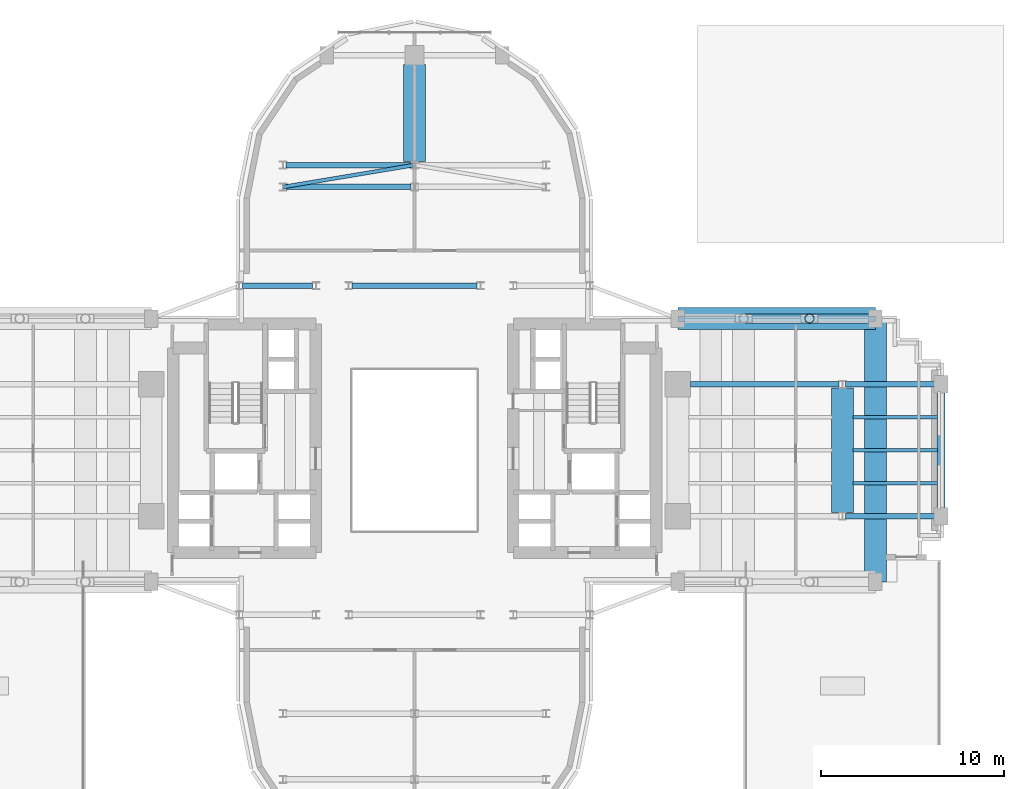
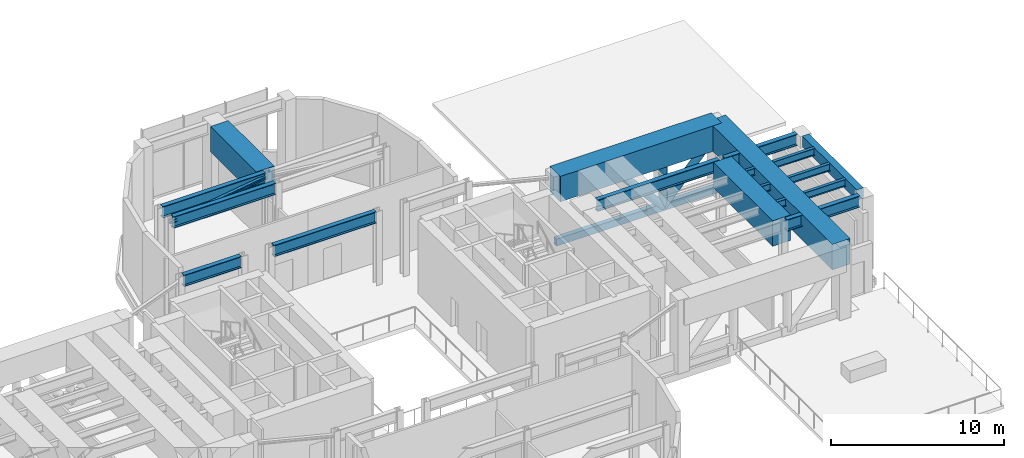
# One storey, part 6 of 16: 15 beams, 5 members.
"""IFC4 building model written with IfcOpenShell, lengths in metres."""

from ifc_helpers import new_model, si_unit, direction, frame, origin, origin_2d, place, context, subcontext, project, spatial, rectangle, hollow_rectangle, hollow_circle, i_section, extrude, source, transform, mapped, material, material_profile, profile_set, type_object, element, save


model = new_model("IFC4")

# Units and contexts
model_context = context("Model", 3, precision=1e-05, world=origin(), true_north=direction((0.0, 1.0)))
body_context = subcontext(model_context, "Body", "Model", "MODEL_VIEW")
ifc_project = project(units=[si_unit("LENGTHUNIT", "METRE"), si_unit("AREAUNIT", "SQUARE_METRE"), si_unit("VOLUMEUNIT", "CUBIC_METRE"), si_unit("PLANEANGLEUNIT", "RADIAN"), si_unit("MASSUNIT", "GRAM", prefix="KILO")], contexts=[model_context])

# Site, building, storey
site_placement = place(None, origin())
site = spatial("IfcSite", under=ifc_project, at=site_placement, CompositionType="ELEMENT")
building_placement = place(site_placement, origin())
building = spatial("IfcBuilding", under=site, at=building_placement, Name="Keilestroom Media Tower", CompositionType="ELEMENT")
storey_placement = place(building_placement, frame((0.0, 0.0, 25.199951171875)))
storey = spatial("IfcBuildingStorey", under=building, at=storey_placement, Name="L05", CompositionType="ELEMENT", Elevation=25.199951171875)

# Beams
ifc_material_1 = material(Name="Concrete C60/75", Category="concrete")
ifc_material_profile_1 = material_profile(ifc_material_1, rectangle(XDim=1.199951171875, YDim=1.800048828125, at=origin_2d()), Name="RC 1200x1800")
ifc_profile_set_1 = profile_set([ifc_material_profile_1], Name="Concrete C60/75")
beam_type_1 = type_object("IfcBeamType", Name="Primary-Structural-Girder-RC-1200x1800", PredefinedType="BEAM", material=ifc_profile_set_1)
shared_shape_1 = source(origin(), body_context, "Body", "SweptSolid", [
    extrude(rectangle(XDim=1.199951171875, YDim=1.800048828125, at=origin_2d()), origin(), (0.0, 0.0, 1.0), 10.800048828125),
])
beam_1_placement = place(storey_placement, frame((14.39990234375, 7.199951171875, 4.300048828125), z_axis=(1.0, 0.0, 0.0), x_axis=(0.0, 1.0, 0.0)))
element("IfcBeam", 1, at=beam_1_placement, inside=storey, type_object=beam_type_1, Name="L05 Beam TG-1 BM-L05-TG1-04", PredefinedType="BEAM", context=body_context, shape_type="MappedRepresentation", body=[
    mapped(shared_shape_1, transform((0.0, 0.0, 0.0), x_axis=(1.0, 0.0, 0.0), y_axis=(0.0, 1.0, 0.0), z_axis=(0.0, 0.0, 1.0), scale=1.0)),
])
shared_shape_2 = source(origin(), body_context, "Body", "SweptSolid", [
    extrude(rectangle(XDim=1.199951171875, YDim=1.800048828125, at=origin_2d()), origin(), (0.0, 0.0, 1.0), 14.39990234375),
])
beam_2_placement = place(storey_placement, frame((25.199951171875, -7.199951171875, 4.300048828125), z_axis=(0.0, 1.0, 0.0), x_axis=(-1.0, 0.0, 0.0)))
element("IfcBeam", 2, at=beam_2_placement, inside=storey, type_object=beam_type_1, Name="L05 Beam TG-1 BM-L05-TG1-06", PredefinedType="BEAM", context=body_context, shape_type="MappedRepresentation", body=[
    mapped(shared_shape_2, transform((0.0, 0.0, 0.0), x_axis=(1.0, 0.0, 0.0), y_axis=(0.0, 1.0, 0.0), z_axis=(0.0, 0.0, 1.0), scale=1.0)),
])
shared_shape_3 = source(origin(), body_context, "Body", "SweptSolid", [
    extrude(rectangle(XDim=1.199951171875, YDim=1.800048828125, at=origin_2d()), origin(), (0.0, 0.0, 1.0), 6.82421875),
])
beam_3_placement = place(storey_placement, frame((23.39990234375, -3.412109375, 4.300048828125), z_axis=(0.0, 1.0, 0.0), x_axis=(-1.0, 0.0, 0.0)))
element("IfcBeam", 3, at=beam_3_placement, inside=storey, type_object=beam_type_1, Name="L05 Beam TG-1 BM-L05-NS-053", PredefinedType="BEAM", context=body_context, shape_type="MappedRepresentation", body=[
    mapped(shared_shape_3, transform((0.0, 0.0, 0.0), x_axis=(1.0, 0.0, 0.0), y_axis=(0.0, 1.0, 0.0), z_axis=(0.0, 0.0, 1.0), scale=1.0)),
])
shared_shape_4 = source(origin(), body_context, "Body", "SweptSolid", [
    extrude(rectangle(XDim=1.199951171875, YDim=1.800048828125, at=origin_2d()), origin(), (0.0, 0.0, 1.0), 5.306884765625),
])
beam_4_placement = place(storey_placement, frame((0.0, 15.7880859375, 4.300048828125), z_axis=(0.0, 1.0, 0.0), x_axis=(-1.0, 0.0, 0.0)))
element("IfcBeam", 4, at=beam_4_placement, inside=storey, type_object=beam_type_1, Name="L05 Beam TG-1 BM-L05-NS-044", PredefinedType="BEAM", context=body_context, shape_type="MappedRepresentation", body=[
    mapped(shared_shape_4, transform((0.0, 0.0, 0.0), x_axis=(1.0, 0.0, 0.0), y_axis=(0.0, 1.0, 0.0), z_axis=(0.0, 0.0, 1.0), scale=1.0)),
])
ifc_material_2 = material(Name="Steel S460", Category="steel")
ifc_material_profile_2 = material_profile(ifc_material_2, i_section(OverallWidth=0.302978515625, OverallDepth=0.81396484375, WebThickness=0.02099609375, FlangeThickness=0.0400390625, at=origin_2d()), Name="HEM 800")
ifc_profile_set_2 = profile_set([ifc_material_profile_2], Name="Steel S460")
beam_type_2 = type_object("IfcBeamType", Name="Primary-Structural-Girder-HEM-800", PredefinedType="BEAM", material=ifc_profile_set_2)
shared_shape_5 = source(origin(), body_context, "Body", "SweptSolid", [
    extrude(i_section(OverallWidth=0.302978515625, OverallDepth=0.81396484375, WebThickness=0.02099609375, FlangeThickness=0.0400390625, at=origin_2d()), origin(), (0.0, 0.0, 1.0), 6.833984375),
])
for number, where, z_axis, x_axis, name in (
    (5, (-3.4169921875, 9.0, 4.79296875), (1.0, 0.0, 0.0), (0.0, 1.0, 0.0), "L05 Beam BG-1 BM-L05-EW-022"),
    (6, (-7.01708984375, 14.39990234375, 4.79296875), (1.0, 0.0, 0.0), (0.0, 1.0, 0.0), "L05 Beam BG-1 BM-L05-EW-025"),
    (7, (-7.01708984375, 15.60009765625, 4.79296875), (1.0, 0.0, 0.0), (0.0, 1.0, 0.0), "L05 Beam BG-1 BM-L05-EW-027"),
):
    element("IfcBeam", number, at=place(storey_placement, frame(where, z_axis=z_axis, x_axis=x_axis)), inside=storey, type_object=beam_type_2, Name=name, PredefinedType="BEAM", context=body_context, shape_type="MappedRepresentation", body=[
        mapped(shared_shape_5, transform((0.0, 0.0, 0.0), x_axis=(1.0, 0.0, 0.0), y_axis=(0.0, 1.0, 0.0), z_axis=(0.0, 0.0, 1.0), scale=1.0)),
    ])
shared_shape_6 = source(origin(), body_context, "Body", "SweptSolid", [
    extrude(i_section(OverallWidth=0.302978515625, OverallDepth=0.81396484375, WebThickness=0.02099609375, FlangeThickness=0.0400390625, at=origin_2d()), origin(), (0.0, 0.0, 1.0), 3.833984375),
])
beam_5_placement = place(storey_placement, frame((-9.4169921875, 9.0, 4.79296875), z_axis=(1.0, 0.0, 0.0), x_axis=(0.0, 1.0, 0.0)))
element("IfcBeam", 8, at=beam_5_placement, inside=storey, type_object=beam_type_2, Name="L05 Beam BG-1 BM-L05-EW-020", PredefinedType="BEAM", context=body_context, shape_type="MappedRepresentation", body=[
    mapped(shared_shape_6, transform((0.0, 0.0, 0.0), x_axis=(1.0, 0.0, 0.0), y_axis=(0.0, 1.0, 0.0), z_axis=(0.0, 0.0, 1.0), scale=1.0)),
])
shared_shape_7 = source(origin(), body_context, "Body", "SweptSolid", [
    extrude(i_section(OverallWidth=0.302978515625, OverallDepth=0.81396484375, WebThickness=0.02099609375, FlangeThickness=0.0400390625, at=origin_2d()), origin(), (0.0, 0.0, 1.0), 4.862060546875),
])
for number, where, z_axis, x_axis, name in (
    (9, (23.5830078125, -3.60009765625, 4.79296875), (1.0, 0.0, 0.0), (0.0, 1.0, 0.0), "L05 Beam BG-1 BM-L05-EW-015"),
    (10, (23.5830078125, 3.60009765625, 4.79296875), (1.0, 0.0, 0.0), (0.0, 1.0, 0.0), "L05 Beam BG-1 BM-L05-EW-019"),
):
    element("IfcBeam", number, at=place(storey_placement, frame(where, z_axis=z_axis, x_axis=x_axis)), inside=storey, type_object=beam_type_2, Name=name, PredefinedType="BEAM", context=body_context, shape_type="MappedRepresentation", body=[
        mapped(shared_shape_7, transform((0.0, 0.0, 0.0), x_axis=(1.0, 0.0, 0.0), y_axis=(0.0, 1.0, 0.0), z_axis=(0.0, 0.0, 1.0), scale=1.0)),
    ])
shared_shape_8 = source(origin(), body_context, "Body", "SweptSolid", [
    extrude(i_section(OverallWidth=0.302978515625, OverallDepth=0.81396484375, WebThickness=0.02099609375, FlangeThickness=0.0400390625, at=origin_2d()), origin(), (0.0, 0.0, 1.0), 8.136962890625),
])
beam_6_placement = place(storey_placement, frame((15.080078125, 3.60009765625, 4.79296875), z_axis=(1.0, 0.0, 0.0), x_axis=(0.0, 1.0, 0.0)))
element("IfcBeam", 11, at=beam_6_placement, inside=storey, type_object=beam_type_2, Name="L05 Beam BG-1 BM-L05-EW-018", PredefinedType="BEAM", context=body_context, shape_type="MappedRepresentation", body=[
    mapped(shared_shape_8, transform((0.0, 0.0, 0.0), x_axis=(1.0, 0.0, 0.0), y_axis=(0.0, 1.0, 0.0), z_axis=(0.0, 0.0, 1.0), scale=1.0)),
])
ifc_material_3 = material(Name="Precast concrete C40/50", Category="concrete")
ifc_material_profile_3 = material_profile(ifc_material_3, rectangle(XDim=0.449951171875, YDim=0.75, at=origin_2d()), Name="PC 450x750")
ifc_profile_set_3 = profile_set([ifc_material_profile_3], Name="Precast concrete C40/50")
beam_type_3 = type_object("IfcBeamType", Name="Perimeter-Spandrel-Beam-PC-450x750", PredefinedType="SPANDREL", material=ifc_profile_set_3)
shared_shape_9 = source(origin(), body_context, "Body", "SweptSolid", [
    extrude(rectangle(XDim=0.449951171875, YDim=0.75, at=origin_2d()), origin(), (0.0, 0.0, 1.0), 6.2900390625),
])
beam_7_placement = place(storey_placement, frame((28.800048828125, -3.14501953125, 4.824951171875), z_axis=(0.0, 1.0, 0.0), x_axis=(-1.0, 0.0, 0.0)))
element("IfcBeam", 12, at=beam_7_placement, inside=storey, type_object=beam_type_3, Name="L05 Beam SPB-1 BM-L05-NS-054", PredefinedType="SPANDREL", context=body_context, shape_type="MappedRepresentation", body=[
    mapped(shared_shape_9, transform((0.0, 0.0, 0.0), x_axis=(1.0, 0.0, 0.0), y_axis=(0.0, 1.0, 0.0), z_axis=(0.0, 0.0, 1.0), scale=1.0)),
])
ifc_material_4 = material(Name="Steel S355", Category="steel")
ifc_material_profile_4 = material_profile(ifc_material_4, i_section(OverallWidth=0.199951171875, OverallDepth=0.5, WebThickness=0.01025390625, FlangeThickness=0.01611328125, at=origin_2d()), Name="IPE 500")
ifc_profile_set_4 = profile_set([ifc_material_profile_4], Name="Steel S355")
beam_type_4 = type_object("IfcBeamType", Name="Secondary-Floor-Joist-IPE-500", PredefinedType="JOIST", material=ifc_profile_set_4)
shared_shape_10 = source(origin(), body_context, "Body", "SweptSolid", [
    extrude(i_section(OverallWidth=0.199951171875, OverallDepth=0.5, WebThickness=0.01025390625, FlangeThickness=0.01611328125, at=origin_2d()), origin(), (0.0, 0.0, 1.0), 4.614990234375),
])
for number, where, z_axis, x_axis, name in (
    (13, (23.97998046875, -1.800048828125, 4.949951171875), (1.0, 0.0, 0.0), (0.0, 1.0, 0.0), "L05 Beam BJ-2 JST-L05-058"),
    (14, (23.97998046875, 0.0, 4.949951171875), (1.0, 0.0, 0.0), (0.0, 1.0, 0.0), "L05 Beam BJ-2 JST-L05-062"),
    (15, (23.97998046875, 1.800048828125, 4.949951171875), (1.0, 0.0, 0.0), (0.0, 1.0, 0.0), "L05 Beam BJ-2 JST-L05-066"),
):
    element("IfcBeam", number, at=place(storey_placement, frame(where, z_axis=z_axis, x_axis=x_axis)), inside=storey, type_object=beam_type_4, Name=name, PredefinedType="JOIST", context=body_context, shape_type="MappedRepresentation", body=[
        mapped(shared_shape_10, transform((0.0, 0.0, 0.0), x_axis=(1.0, 0.0, 0.0), y_axis=(0.0, 1.0, 0.0), z_axis=(0.0, 0.0, 1.0), scale=1.0)),
    ])

# Members
ifc_material_profile_5 = material_profile(ifc_material_2, hollow_rectangle(XDim=0.300048828125, YDim=0.5, WallThickness=0.02001953125, at=origin_2d()), Name="RHS 500x300x20")
ifc_profile_set_5 = profile_set([ifc_material_profile_5], Name="Steel S460")
member_type_1 = type_object("IfcMemberType", Name="Transfer-And-Belt-Truss-Chord-RHS-500x300x20", PredefinedType="CHORD", material=ifc_profile_set_5)
shared_shape_11 = source(origin(), body_context, "Body", "SweptSolid", [
    extrude(hollow_rectangle(XDim=0.300048828125, YDim=0.5, WallThickness=0.02001953125, at=origin_2d()), origin(), (0.0, 0.0, 1.0), 10.800048828125),
])
member_1_placement = place(storey_placement, frame((14.39990234375, 7.199951171875, 0.25), z_axis=(1.0, 0.0, 0.0), x_axis=(0.0, 1.0, 0.0)))
element("IfcMember", 16, at=member_1_placement, inside=storey, type_object=member_type_1, Name="L05 Transfer Truss TT-4 Bottom Chord", PredefinedType="CHORD", context=body_context, shape_type="MappedRepresentation", body=[
    mapped(shared_shape_11, transform((0.0, 0.0, 0.0), x_axis=(1.0, 0.0, 0.0), y_axis=(0.0, 1.0, 0.0), z_axis=(0.0, 0.0, 1.0), scale=1.0)),
])
ifc_material_profile_6 = material_profile(ifc_material_2, hollow_circle(Radius=0.25390625, WallThickness=0.02001953125, at=origin_2d()), Name="CHS 508x20")
ifc_profile_set_6 = profile_set([ifc_material_profile_6], Name="Steel S460")
member_type_2 = type_object("IfcMemberType", Name="Outrigger-And-Belt-Brace-Transfer-CHS-508x20", PredefinedType="BRACE", material=ifc_profile_set_6)
shared_shape_12 = source(origin(), body_context, "Body", "SweptSolid", [
    extrude(hollow_circle(Radius=0.25390625, WallThickness=0.02001953125, at=origin_2d()), origin(), (0.0, 0.0, 1.0), 5.418701171875),
])
for number, where, z_axis, x_axis, name in (
    (17, (18.0, 7.199951171875, 4.300048828125), (0.664369431748, 0.0, -0.747404347163), (0.0, 1.0, 0.0), "L05 Transfer Truss TT-4 Diagonal 2"),
    (18, (21.60009765625, 7.199951171875, 0.25), (0.664344262737, 0.0, 0.747426719196), (0.0, 1.0, 0.0), "L05 Transfer Truss TT-4 Diagonal 3"),
):
    element("IfcMember", number, at=place(storey_placement, frame(where, z_axis=z_axis, x_axis=x_axis)), inside=storey, type_object=member_type_2, Name=name, PredefinedType="BRACE", context=body_context, shape_type="MappedRepresentation", body=[
        mapped(shared_shape_12, transform((0.0, 0.0, 0.0), x_axis=(1.0, 0.0, 0.0), y_axis=(0.0, 1.0, 0.0), z_axis=(0.0, 0.0, 1.0), scale=1.0)),
    ])
ifc_material_profile_7 = material_profile(ifc_material_2, hollow_circle(Radius=0.25390625, WallThickness=0.02001953125, at=origin_2d()), Name="CHS 508x20")
ifc_profile_set_7 = profile_set([ifc_material_profile_7], Name="Steel S460")
member_type_3 = type_object("IfcMemberType", Name="Crown-Strut-And-Mast-Member-Crown-Frame-CHS-508x20", PredefinedType="STRUT", material=ifc_profile_set_7)
shared_shape_13 = source(origin(), body_context, "Body", "SweptSolid", [
    extrude(hollow_circle(Radius=0.25390625, WallThickness=0.02001953125, at=origin_2d()), origin(), (0.0, 0.0, 1.0), 4.050048828125),
])
member_2_placement = place(storey_placement, frame((21.60009765625, 7.199951171875, 0.25), z_axis=(0.0, 0.0, 1.0), x_axis=(1.0, 0.0, 0.0)))
element("IfcMember", 19, at=member_2_placement, inside=storey, type_object=member_type_3, Name="L05 Transfer Truss TT-4 Web Strut (+21.6,+7.2)", PredefinedType="STRUT", context=body_context, shape_type="MappedRepresentation", body=[
    mapped(shared_shape_13, transform((0.0, 0.0, 0.0), x_axis=(1.0, 0.0, 0.0), y_axis=(0.0, 1.0, 0.0), z_axis=(0.0, 0.0, 1.0), scale=1.0)),
])
ifc_material_profile_8 = material_profile(ifc_material_4, i_section(OverallWidth=0.199951171875, OverallDepth=0.199951171875, WebThickness=0.009033203125, FlangeThickness=0.014892578125, at=origin_2d()), Name="HEB 200")
ifc_profile_set_8 = profile_set([ifc_material_profile_8], Name="Steel S355")
member_type_4 = type_object("IfcMemberType", Name="Outrigger-And-Belt-Brace-HEB-200", PredefinedType="BRACE", material=ifc_profile_set_8)
shared_shape_14 = source(origin(), body_context, "Body", "SweptSolid", [
    extrude(i_section(OverallWidth=0.199951171875, OverallDepth=0.199951171875, WebThickness=0.009033203125, FlangeThickness=0.014892578125, at=origin_2d()), origin(), (0.0, 0.0, 1.0), 7.29931640625),
])
member_3_placement = place(storey_placement, frame((-7.199951171875, 14.39990234375, 4.800048828125), z_axis=(0.986389403576, 0.16442610654, 0.0), x_axis=(-0.16442610654, 0.986389403576, 0.0)))
element("IfcMember", 20, at=member_3_placement, inside=storey, type_object=member_type_4, Name="L05 Horizontal Diaphragm Brace TBR-5", PredefinedType="BRACE", context=body_context, shape_type="MappedRepresentation", body=[
    mapped(shared_shape_14, transform((0.0, 0.0, 0.0), x_axis=(1.0, 0.0, 0.0), y_axis=(0.0, 1.0, 0.0), z_axis=(0.0, 0.0, 1.0), scale=1.0)),
])

save(model, "model.ifc")
